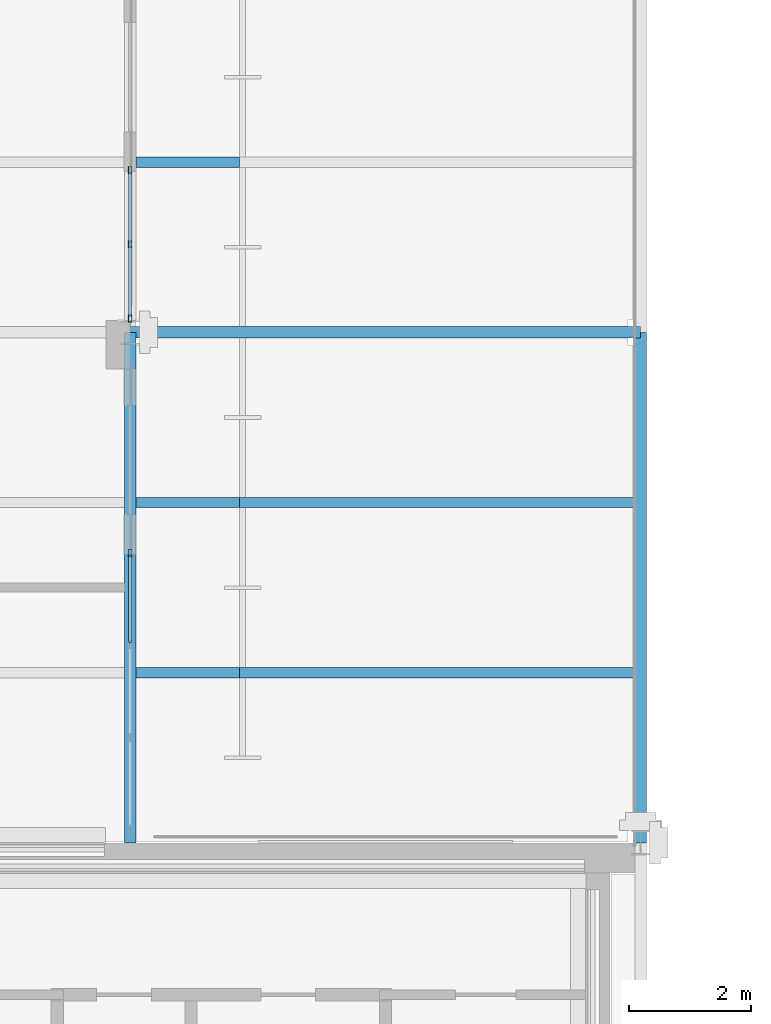
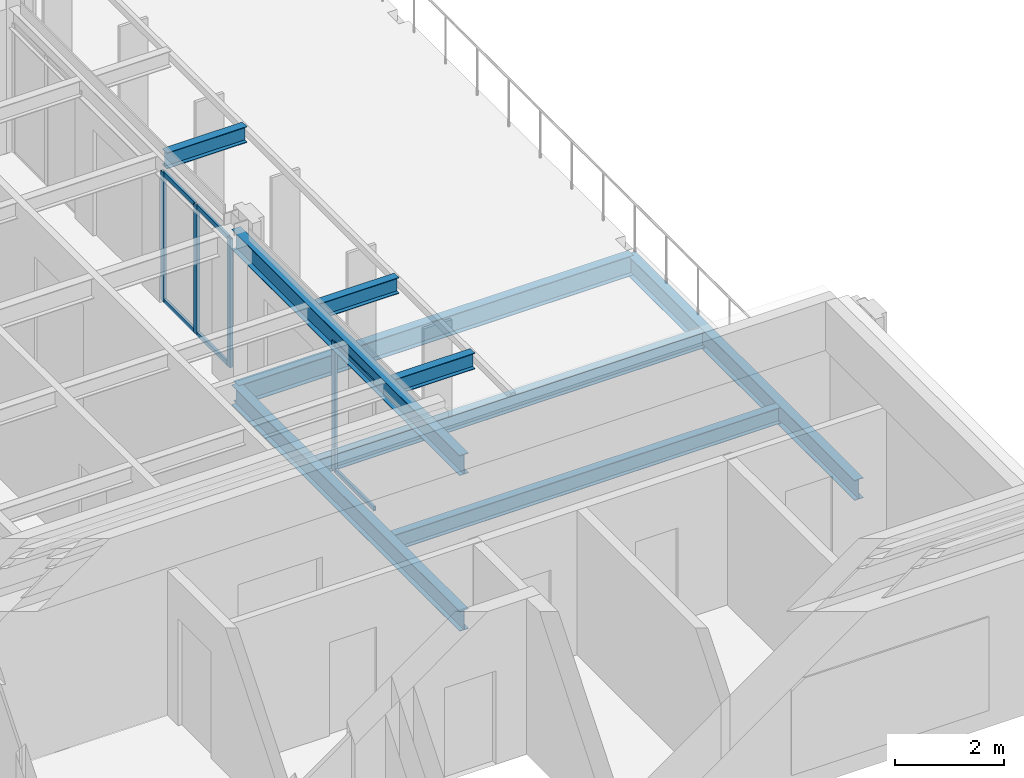
# One storey, part 10 of 31: 10 members, 9 beams, 2 elements without a shape of their own.
"""IFC4 building model written with IfcOpenShell, lengths in metres."""

from ifc_helpers import new_model, si_unit, direction, frame, origin, origin_2d, place, context, subcontext, project, spatial, hollow_rectangle, i_section, extrude, material, material_profile, profile_set, type_object, element, aggregate, save


model = new_model("IFC4")

# Units and contexts
model_context = context("Model", 3, precision=1e-05, world=origin(), true_north=direction((0.0, 1.0)))
body_context = subcontext(model_context, "Body", "Model", "MODEL_VIEW")
ifc_project = project(units=[si_unit("LENGTHUNIT", "METRE"), si_unit("AREAUNIT", "SQUARE_METRE"), si_unit("VOLUMEUNIT", "CUBIC_METRE"), si_unit("PLANEANGLEUNIT", "RADIAN"), si_unit("MASSUNIT", "GRAM", prefix="KILO")], contexts=[model_context])

# Site, building, storey
site_placement = place(None, origin())
site = spatial("IfcSite", under=ifc_project, at=site_placement, CompositionType="ELEMENT")
building_placement = place(site_placement, origin())
building = spatial("IfcBuilding", under=site, at=building_placement, Name="Catenary Quay Ferry Terminal", CompositionType="ELEMENT")
storey_placement = place(building_placement, frame((0.0, 0.0, 20.60009765625)))
storey = spatial("IfcBuildingStorey", under=building, at=storey_placement, Name="L04", CompositionType="ELEMENT", Elevation=20.60009765625)

# Beams
ifc_material_1 = material(Name="Steel S355", Category="steel")
ifc_material_profile_1 = material_profile(ifc_material_1, i_section(OverallWidth=0.18994140625, OverallDepth=0.453369140625, WebThickness=0.008544921875, FlangeThickness=0.0126953125, at=origin_2d()), Name="UB 457x191x67")
ifc_profile_set_1 = profile_set([ifc_material_profile_1], Name="Steel S355")
beam_type_1 = type_object("IfcBeamType", Name="B1 UB 457x191x67", PredefinedType="BEAM", material=ifc_profile_set_1)
for number, where, z_axis, x_axis, name in (
    (1, (42.0, 176.39990234375, -0.47705078125), (1.0, 0.0, 0.0), (0.0, 1.0, 0.0), "Beam B1-003"),
    (2, (50.39990234375, 168.0, -0.47705078125), (0.0, 1.0, 0.0), (-1.0, 0.0, 0.0), "Beam B1-017"),
    (3, (42.0, 168.0, -0.47705078125), (0.0, 1.0, 0.0), (-1.0, 0.0, 0.0), "Beam B1-026"),
    (4, (42.0, 168.0, 3.02294921875), (0.0, 1.0, 0.0), (-1.0, 0.0, 0.0), "Beam B1-019"),
):
    element("IfcBeam", number, at=place(storey_placement, frame(where, z_axis=z_axis, x_axis=x_axis)), inside=storey, type_object=beam_type_1, Name=name, PredefinedType="BEAM", context=body_context, shape_type="SweptSolid", body=[
        extrude(i_section(OverallWidth=0.18994140625, OverallDepth=0.453369140625, WebThickness=0.008544921875, FlangeThickness=0.0126953125, at=origin_2d()), origin(), (0.0, 0.0, 1.0), 8.39990234375),
    ])
ifc_material_2 = material(Name="Steel S355", Category="steel")
ifc_material_profile_2 = material_profile(ifc_material_2, i_section(OverallWidth=0.169921875, OverallDepth=0.360107421875, WebThickness=0.008056640625, FlangeThickness=0.0126953125, at=origin_2d()), Name="IPE 360")
ifc_profile_set_2 = profile_set([ifc_material_profile_2], Name="Steel S355")
beam_type_2 = type_object("IfcBeamType", Name="B7 IPE 360", PredefinedType="BEAM", material=ifc_profile_set_2)
for number, where, z_axis, x_axis, name in (
    (5, (42.094970703125, 170.800048828125, -0.43017578125), (1.0, 0.0, 0.0), (0.0, 1.0, 0.0), "Beam B7-003"),
    (6, (42.094970703125, 173.60009765625, -0.43017578125), (1.0, 0.0, 0.0), (0.0, 1.0, 0.0), "Beam B7-006"),
):
    element("IfcBeam", number, at=place(storey_placement, frame(where, z_axis=z_axis, x_axis=x_axis)), inside=storey, type_object=beam_type_2, Name=name, PredefinedType="BEAM", context=body_context, shape_type="SweptSolid", body=[
        extrude(i_section(OverallWidth=0.169921875, OverallDepth=0.360107421875, WebThickness=0.008056640625, FlangeThickness=0.0126953125, at=origin_2d()), origin(), (0.0, 0.0, 1.0), 8.2099609375),
    ])
ifc_material_3 = material(Name="Steel S355", Category="steel")
ifc_material_profile_3 = material_profile(ifc_material_3, i_section(OverallWidth=0.169921875, OverallDepth=0.360107421875, WebThickness=0.008056640625, FlangeThickness=0.0126953125, at=origin_2d()), Name="IPE 360")
ifc_profile_set_3 = profile_set([ifc_material_profile_3], Name="Steel S355")
beam_type_3 = type_object("IfcBeamType", Name="B9 IPE 360", PredefinedType="BEAM", material=ifc_profile_set_3)
for number, where, z_axis, x_axis, name in (
    (7, (42.095458984375, 170.800048828125, 3.06982421875), (1.0, 0.0, 0.0), (0.0, 1.0, 0.0), "Eaves cantilever E1"),
    (8, (42.095458984375, 173.60009765625, 3.06982421875), (1.0, 0.0, 0.0), (0.0, 1.0, 0.0), "Eaves cantilever E2"),
    (9, (42.095458984375, 179.199951171875, 3.06982421875), (1.0, 0.0, 0.0), (0.0, 1.0, 0.0), "Eaves cantilever E3"),
):
    element("IfcBeam", number, at=place(storey_placement, frame(where, z_axis=z_axis, x_axis=x_axis)), inside=storey, type_object=beam_type_3, Name=name, PredefinedType="BEAM", context=body_context, shape_type="SweptSolid", body=[
        extrude(i_section(OverallWidth=0.169921875, OverallDepth=0.360107421875, WebThickness=0.008056640625, FlangeThickness=0.0126953125, at=origin_2d()), origin(), (0.0, 0.0, 1.0), 1.70458984375),
    ])

# Curtain wall, member
ifc_material_4 = material(Name="Aluminium and glass", Category="aluminium")
curtain_wall_type = type_object("IfcCurtainWallType", Name="CWW5", PredefinedType="NOTDEFINED", material=ifc_material_4)
curtain_wall_1_placement = place(storey_placement, origin())
curtain_wall_1 = element("IfcCurtainWall", 10, at=curtain_wall_1_placement, inside=storey, type_object=curtain_wall_type, Name="Wing curtain wall CW158", PredefinedType="NOTDEFINED")
ifc_material_5 = material(Name="Aluminium", Category="aluminium")
ifc_material_profile_4 = material_profile(ifc_material_5, hollow_rectangle(XDim=0.06005859375, YDim=0.1201171875, WallThickness=0.0048828125, at=origin_2d()), Name="MU4")
ifc_profile_set_4 = profile_set([ifc_material_profile_4], Name="Aluminium")
member_type_1 = type_object("IfcMemberType", Name="MU4", PredefinedType="MULLION", material=ifc_profile_set_4)
member_1_placement = place(storey_placement, frame((42.0, 172.77001953125, 0.0), z_axis=(0.0, 0.0, 1.0), x_axis=(-1.0, 0.0, 0.0)))
member_1 = element("IfcMember", 11, at=member_1_placement, type_object=member_type_1, Name="CW158 mullion 4", PredefinedType="MULLION", context=body_context, shape_type="SweptSolid", body=[
    extrude(hollow_rectangle(XDim=0.06005859375, YDim=0.1201171875, WallThickness=0.0048828125, at=origin_2d()), origin(), (0.0, 0.0, 1.0), 2.89990234375),
])

# Curtain wall, members
curtain_wall_2_placement = place(storey_placement, origin())
curtain_wall_2 = element("IfcCurtainWall", 12, at=curtain_wall_2_placement, inside=storey, type_object=curtain_wall_type, Name="Wing curtain wall CW159", PredefinedType="NOTDEFINED")
member_2_placement = place(storey_placement, frame((42.0, 176.6298828125, 0.0), z_axis=(0.0, 0.0, 1.0), x_axis=(-1.0, 0.0, 0.0)))
member_2 = element("IfcMember", 13, at=member_2_placement, type_object=member_type_1, Name="CW159 mullion 1", PredefinedType="MULLION", context=body_context, shape_type="SweptSolid", body=[
    extrude(hollow_rectangle(XDim=0.06005859375, YDim=0.1201171875, WallThickness=0.0048828125, at=origin_2d()), origin(), (0.0, 0.0, 1.0), 2.89990234375),
])
member_3_placement = place(storey_placement, frame((42.0, 177.85009765625, 0.0), z_axis=(0.0, 0.0, 1.0), x_axis=(-1.0, 0.0, 0.0)))
member_3 = element("IfcMember", 14, at=member_3_placement, type_object=member_type_1, Name="CW159 mullion 2", PredefinedType="MULLION", context=body_context, shape_type="SweptSolid", body=[
    extrude(hollow_rectangle(XDim=0.06005859375, YDim=0.1201171875, WallThickness=0.0048828125, at=origin_2d()), origin(), (0.0, 0.0, 1.0), 2.89990234375),
])
member_4_placement = place(storey_placement, frame((42.0, 179.070068359375, 0.0), z_axis=(0.0, 0.0, 1.0), x_axis=(-1.0, 0.0, 0.0)))
member_4 = element("IfcMember", 15, at=member_4_placement, type_object=member_type_1, Name="CW159 mullion 3", PredefinedType="MULLION", context=body_context, shape_type="SweptSolid", body=[
    extrude(hollow_rectangle(XDim=0.06005859375, YDim=0.1201171875, WallThickness=0.0048828125, at=origin_2d()), origin(), (0.0, 0.0, 1.0), 2.89990234375),
])

# Member
ifc_material_6 = material(Name="Aluminium", Category="aluminium")
ifc_material_profile_5 = material_profile(ifc_material_6, hollow_rectangle(XDim=0.050048828125, YDim=0.10009765625, WallThickness=0.00390625, at=origin_2d()), Name="TR4")
ifc_profile_set_5 = profile_set([ifc_material_profile_5], Name="Aluminium")
member_type_2 = type_object("IfcMemberType", Name="TR4", PredefinedType="USERDEFINED", material=ifc_profile_set_5)
member_5_placement = place(storey_placement, frame((42.0, 171.296630859375, 0.02490234375), z_axis=(0.0, 1.0, 0.0), x_axis=(-1.0, 0.0, 0.0)))
member_5 = element("IfcMember", 16, at=member_5_placement, type_object=member_type_2, Name="CW158 transom 3.1", ObjectType="TRANSOM", PredefinedType="USERDEFINED", context=body_context, shape_type="SweptSolid", body=[
    extrude(hollow_rectangle(XDim=0.050048828125, YDim=0.10009765625, WallThickness=0.00390625, at=origin_2d()), origin(), (0.0, 0.0, 1.0), 1.443359375),
])

member_6_placement = place(storey_placement, frame((42.0, 171.296630859375, 2.875), z_axis=(0.0, 1.0, 0.0), x_axis=(-1.0, 0.0, 0.0)))
member_6 = element("IfcMember", 17, at=member_6_placement, type_object=member_type_2, Name="CW158 transom 3.2", ObjectType="TRANSOM", PredefinedType="USERDEFINED", context=body_context, shape_type="SweptSolid", body=[
    extrude(hollow_rectangle(XDim=0.050048828125, YDim=0.10009765625, WallThickness=0.00390625, at=origin_2d()), origin(), (0.0, 0.0, 1.0), 1.443359375),
])

aggregate(curtain_wall_1, [member_1, member_5, member_6])

member_7_placement = place(storey_placement, frame((42.0, 176.659912109375, 0.02490234375), z_axis=(0.0, 1.0, 0.0), x_axis=(-1.0, 0.0, 0.0)))
member_7 = element("IfcMember", 18, at=member_7_placement, type_object=member_type_2, Name="CW159 transom 1.1", ObjectType="TRANSOM", PredefinedType="USERDEFINED", context=body_context, shape_type="SweptSolid", body=[
    extrude(hollow_rectangle(XDim=0.050048828125, YDim=0.10009765625, WallThickness=0.00390625, at=origin_2d()), origin(), (0.0, 0.0, 1.0), 1.16015625),
])

member_8_placement = place(storey_placement, frame((42.0, 176.659912109375, 2.875), z_axis=(0.0, 1.0, 0.0), x_axis=(-1.0, 0.0, 0.0)))
member_8 = element("IfcMember", 19, at=member_8_placement, type_object=member_type_2, Name="CW159 transom 1.2", ObjectType="TRANSOM", PredefinedType="USERDEFINED", context=body_context, shape_type="SweptSolid", body=[
    extrude(hollow_rectangle(XDim=0.050048828125, YDim=0.10009765625, WallThickness=0.00390625, at=origin_2d()), origin(), (0.0, 0.0, 1.0), 1.16015625),
])

member_9_placement = place(storey_placement, frame((42.0, 177.8798828125, 0.02490234375), z_axis=(0.0, 1.0, 0.0), x_axis=(-1.0, 0.0, 0.0)))
member_9 = element("IfcMember", 20, at=member_9_placement, type_object=member_type_2, Name="CW159 transom 2.1", ObjectType="TRANSOM", PredefinedType="USERDEFINED", context=body_context, shape_type="SweptSolid", body=[
    extrude(hollow_rectangle(XDim=0.050048828125, YDim=0.10009765625, WallThickness=0.00390625, at=origin_2d()), origin(), (0.0, 0.0, 1.0), 1.16015625),
])

member_10_placement = place(storey_placement, frame((42.0, 177.8798828125, 2.875), z_axis=(0.0, 1.0, 0.0), x_axis=(-1.0, 0.0, 0.0)))
member_10 = element("IfcMember", 21, at=member_10_placement, type_object=member_type_2, Name="CW159 transom 2.2", ObjectType="TRANSOM", PredefinedType="USERDEFINED", context=body_context, shape_type="SweptSolid", body=[
    extrude(hollow_rectangle(XDim=0.050048828125, YDim=0.10009765625, WallThickness=0.00390625, at=origin_2d()), origin(), (0.0, 0.0, 1.0), 1.16015625),
])

aggregate(curtain_wall_2, [member_2, member_3, member_4, member_7, member_8, member_9, member_10])

save(model, "model.ifc")
